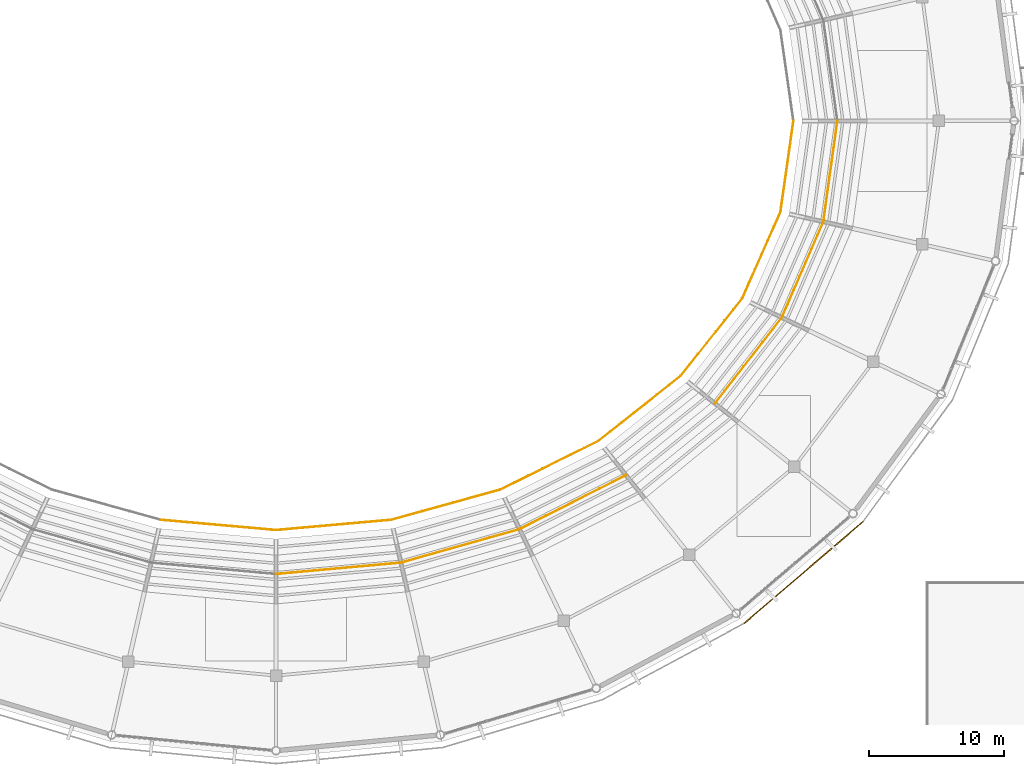
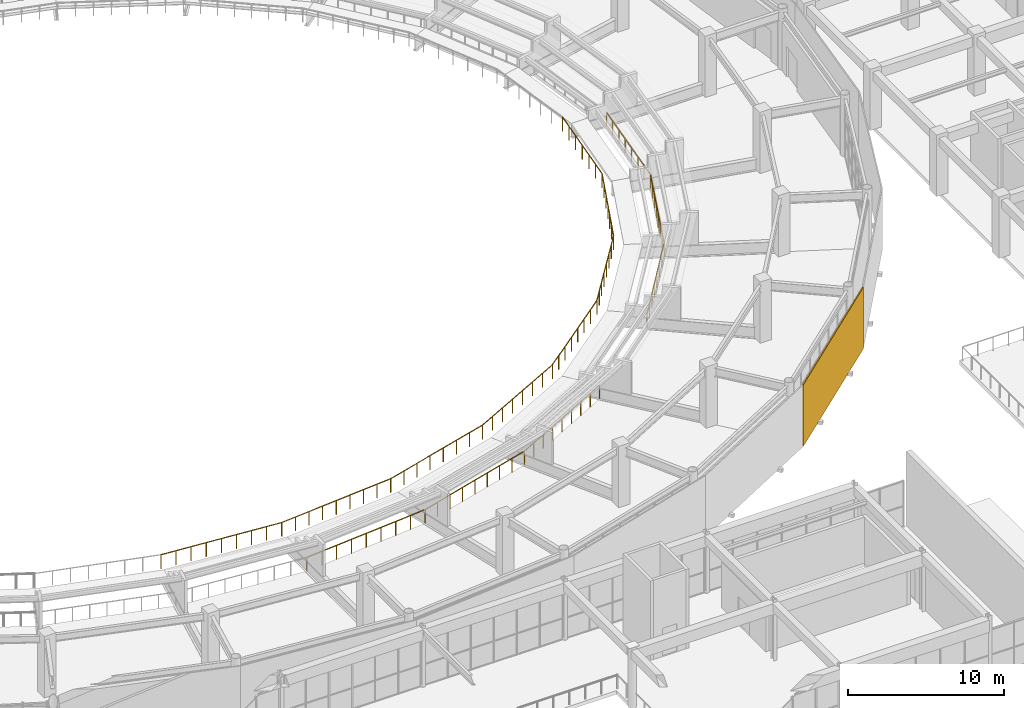
# One storey, part 115 of 122: 14 railings, 1 covering.
"""IFC4 building model written with IfcOpenShell, lengths in metres."""

from ifc_helpers import new_model, si_unit, direction, frame, frame_2d, origin, origin_2d, place, context, subcontext, project, spatial, rectangle, circle, extrude, material, layer, layer_set, type_object, element, save


model = new_model("IFC4")

# Units and contexts
model_context = context("Model", 3, precision=1e-05, world=origin(), true_north=direction((0.0, 1.0)))
body_context = subcontext(model_context, "Body", "Model", "MODEL_VIEW")
ifc_project = project(units=[si_unit("LENGTHUNIT", "METRE"), si_unit("AREAUNIT", "SQUARE_METRE"), si_unit("VOLUMEUNIT", "CUBIC_METRE"), si_unit("PLANEANGLEUNIT", "RADIAN"), si_unit("MASSUNIT", "GRAM", prefix="KILO")], contexts=[model_context])

# Site, building, storey
site_placement = place(None, origin())
site = spatial("IfcSite", under=ifc_project, at=site_placement, CompositionType="ELEMENT")
building_placement = place(site_placement, origin())
building = spatial("IfcBuilding", under=site, at=building_placement, Name="Cuetzalor Civic Arena", CompositionType="ELEMENT")
storey_placement = place(building_placement, frame((0.0, 0.0, 16.199951171875)))
storey = spatial("IfcBuildingStorey", under=building, at=storey_placement, Name="L03", CompositionType="ELEMENT", Elevation=16.199951171875)

# Railings
ifc_material_1 = material(Name="Reseda-green Steel S355 and laminated glass guard", Category="steel")
railing_type = type_object("IfcRailingType", Name="BowlSightlineGuard_1100", PredefinedType="BALUSTRADE", material=ifc_material_1)
railing_1_placement = place(storey_placement, frame((-8.511474609375, -29.49169921875, 0.75)))
element("IfcRailing", 1, at=railing_1_placement, inside=storey, type_object=railing_type, Name="Upper Bowl Cantilever Sightline Guard S21", PredefinedType="BALUSTRADE", context=body_context, shape_type="SweptSolid", body=[
    extrude(circle(Radius=0.02392578125, at=origin_2d()), frame((0.0, 0.0, 1.076171875), z_axis=(0.996054814705, -0.08874010425, 0.0), x_axis=(0.08874010425, 0.996054814705, 0.0)), (0.0, 0.0, 1.0), 8.545166015625),
    extrude(circle(Radius=0.02099609375, at=origin_2d()), origin(), (0.0, 0.0, 1.0), 1.052001953125),
    extrude(circle(Radius=0.02099609375, at=origin_2d()), frame((1.06396484375, -0.0947265625, 0.0)), (0.0, 0.0, 1.0), 1.052001953125),
    extrude(circle(Radius=0.02099609375, at=origin_2d()), frame((2.1279296875, -0.189453125, 0.0)), (0.0, 0.0, 1.0), 1.052001953125),
    extrude(circle(Radius=0.02099609375, at=origin_2d()), frame((3.19189453125, -0.284423828125, 0.0)), (0.0, 0.0, 1.0), 1.052001953125),
    extrude(circle(Radius=0.02099609375, at=origin_2d()), frame((4.255859375, -0.379150390625, 0.0)), (0.0, 0.0, 1.0), 1.052001953125),
    extrude(circle(Radius=0.02099609375, at=origin_2d()), frame((5.319580078125, -0.473876953125, 0.0)), (0.0, 0.0, 1.0), 1.052001953125),
    extrude(circle(Radius=0.02099609375, at=origin_2d()), frame((6.383544921875, -0.56884765625, 0.0)), (0.0, 0.0, 1.0), 1.052001953125),
    extrude(circle(Radius=0.02099609375, at=origin_2d()), frame((7.447509765625, -0.66357421875, 0.0)), (0.0, 0.0, 1.0), 1.052001953125),
    extrude(circle(Radius=0.02099609375, at=origin_2d()), frame((8.511474609375, -0.75830078125, 0.0)), (0.0, 0.0, 1.0), 1.052001953125),
])
railing_2_placement = place(storey_placement, frame((0.0, -30.25, 0.75)))
element("IfcRailing", 2, at=railing_2_placement, inside=storey, type_object=railing_type, Name="Upper Bowl Cantilever Sightline Guard S22", PredefinedType="BALUSTRADE", context=body_context, shape_type="SweptSolid", body=[
    extrude(circle(Radius=0.02392578125, at=origin_2d()), frame((0.0, 0.0, 1.076171875), z_axis=(0.996054814705, 0.08874010425, 0.0), x_axis=(-0.08874010425, 0.996054814705, 0.0)), (0.0, 0.0, 1.0), 8.545166015625),
    extrude(circle(Radius=0.02099609375, at=origin_2d()), origin(), (0.0, 0.0, 1.0), 1.052001953125),
    extrude(circle(Radius=0.02099609375, at=origin_2d()), frame((1.06396484375, 0.0947265625, 0.0)), (0.0, 0.0, 1.0), 1.052001953125),
    extrude(circle(Radius=0.02099609375, at=origin_2d()), frame((2.1279296875, 0.189453125, 0.0)), (0.0, 0.0, 1.0), 1.052001953125),
    extrude(circle(Radius=0.02099609375, at=origin_2d()), frame((3.19189453125, 0.284423828125, 0.0)), (0.0, 0.0, 1.0), 1.052001953125),
    extrude(circle(Radius=0.02099609375, at=origin_2d()), frame((4.255859375, 0.379150390625, 0.0)), (0.0, 0.0, 1.0), 1.052001953125),
    extrude(circle(Radius=0.02099609375, at=origin_2d()), frame((5.319580078125, 0.473876953125, 0.0)), (0.0, 0.0, 1.0), 1.052001953125),
    extrude(circle(Radius=0.02099609375, at=origin_2d()), frame((6.383544921875, 0.56884765625, 0.0)), (0.0, 0.0, 1.0), 1.052001953125),
    extrude(circle(Radius=0.02099609375, at=origin_2d()), frame((7.447509765625, 0.66357421875, 0.0)), (0.0, 0.0, 1.0), 1.052001953125),
    extrude(circle(Radius=0.02099609375, at=origin_2d()), frame((8.511474609375, 0.75830078125, 0.0)), (0.0, 0.0, 1.0), 1.052001953125),
])
railing_3_placement = place(storey_placement, frame((8.511474609375, -29.49169921875, 0.75)))
element("IfcRailing", 3, at=railing_3_placement, inside=storey, type_object=railing_type, Name="Upper Bowl Cantilever Sightline Guard S23", PredefinedType="BALUSTRADE", context=body_context, shape_type="SweptSolid", body=[
    extrude(circle(Radius=0.02392578125, at=origin_2d()), frame((0.0, 0.0, 1.076171875), z_axis=(0.963777223135, 0.266708575353, 0.0), x_axis=(-0.266708575353, 0.963777223135, 0.0)), (0.0, 0.0, 1.0), 8.388671875),
    extrude(circle(Radius=0.02099609375, at=origin_2d()), origin(), (0.0, 0.0, 1.0), 1.052001953125),
    extrude(circle(Radius=0.02099609375, at=origin_2d()), frame((1.155029296875, 0.319580078125, 0.0)), (0.0, 0.0, 1.0), 1.052001953125),
    extrude(circle(Radius=0.02099609375, at=origin_2d()), frame((2.309814453125, 0.63916015625, 0.0)), (0.0, 0.0, 1.0), 1.052001953125),
    extrude(circle(Radius=0.02099609375, at=origin_2d()), frame((3.46484375, 0.958740234375, 0.0)), (0.0, 0.0, 1.0), 1.052001953125),
    extrude(circle(Radius=0.02099609375, at=origin_2d()), frame((4.619873046875, 1.278564453125, 0.0)), (0.0, 0.0, 1.0), 1.052001953125),
    extrude(circle(Radius=0.02099609375, at=origin_2d()), frame((5.77490234375, 1.59814453125, 0.0)), (0.0, 0.0, 1.0), 1.052001953125),
    extrude(circle(Radius=0.02099609375, at=origin_2d()), frame((6.9296875, 1.917724609375, 0.0)), (0.0, 0.0, 1.0), 1.052001953125),
    extrude(circle(Radius=0.02099609375, at=origin_2d()), frame((8.084716796875, 2.2373046875, 0.0)), (0.0, 0.0, 1.0), 1.052001953125),
])
railing_4_placement = place(storey_placement, frame((16.59619140625, -27.25439453125, 0.75)))
element("IfcRailing", 4, at=railing_4_placement, inside=storey, type_object=railing_type, Name="Upper Bowl Cantilever Sightline Guard S24", PredefinedType="BALUSTRADE", context=body_context, shape_type="SweptSolid", body=[
    extrude(circle(Radius=0.02392578125, at=origin_2d()), frame((0.0, 0.0, 1.076171875), z_axis=(0.895515848324, 0.445029623059, 0.0), x_axis=(-0.445029623059, 0.895515848324, 0.0)), (0.0, 0.0, 1.0), 8.098388671875),
    extrude(circle(Radius=0.02099609375, at=origin_2d()), origin(), (0.0, 0.0, 1.0), 1.052001953125),
    extrude(circle(Radius=0.02099609375, at=origin_2d()), frame((1.0361328125, 0.514892578125, 0.0)), (0.0, 0.0, 1.0), 1.052001953125),
    extrude(circle(Radius=0.02099609375, at=origin_2d()), frame((2.072021484375, 1.02978515625, 0.0)), (0.0, 0.0, 1.0), 1.052001953125),
    extrude(circle(Radius=0.02099609375, at=origin_2d()), frame((3.108154296875, 1.544677734375, 0.0)), (0.0, 0.0, 1.0), 1.052001953125),
    extrude(circle(Radius=0.02099609375, at=origin_2d()), frame((4.14404296875, 2.059326171875, 0.0)), (0.0, 0.0, 1.0), 1.052001953125),
    extrude(circle(Radius=0.02099609375, at=origin_2d()), frame((5.18017578125, 2.57421875, 0.0)), (0.0, 0.0, 1.0), 1.052001953125),
    extrude(circle(Radius=0.02099609375, at=origin_2d()), frame((6.216064453125, 3.089111328125, 0.0)), (0.0, 0.0, 1.0), 1.052001953125),
    extrude(circle(Radius=0.02099609375, at=origin_2d()), frame((7.252197265625, 3.60400390625, 0.0)), (0.0, 0.0, 1.0), 1.052001953125),
])
railing_5_placement = place(storey_placement, frame((23.848388671875, -23.650390625, 0.75)))
element("IfcRailing", 5, at=railing_5_placement, inside=storey, type_object=railing_type, Name="Upper Bowl Cantilever Sightline Guard S25", PredefinedType="BALUSTRADE", context=body_context, shape_type="SweptSolid", body=[
    extrude(circle(Radius=0.02392578125, at=origin_2d()), frame((0.0, 0.0, 1.076171875), z_axis=(0.784363717402, 0.620301183961, 0.0), x_axis=(-0.620301183961, 0.784363717402, 0.0)), (0.0, 0.0, 1.0), 7.7216796875),
    extrude(circle(Radius=0.02099609375, at=origin_2d()), origin(), (0.0, 0.0, 1.0), 1.052001953125),
    extrude(circle(Radius=0.02099609375, at=origin_2d()), frame((0.865234375, 0.684326171875, 0.0)), (0.0, 0.0, 1.0), 1.052001953125),
    extrude(circle(Radius=0.02099609375, at=origin_2d()), frame((1.73046875, 1.368408203125, 0.0)), (0.0, 0.0, 1.0), 1.052001953125),
    extrude(circle(Radius=0.02099609375, at=origin_2d()), frame((2.595703125, 2.052734375, 0.0)), (0.0, 0.0, 1.0), 1.052001953125),
    extrude(circle(Radius=0.02099609375, at=origin_2d()), frame((3.4609375, 2.737060546875, 0.0)), (0.0, 0.0, 1.0), 1.052001953125),
    extrude(circle(Radius=0.02099609375, at=origin_2d()), frame((4.326171875, 3.42138671875, 0.0)), (0.0, 0.0, 1.0), 1.052001953125),
    extrude(circle(Radius=0.02099609375, at=origin_2d()), frame((5.19140625, 4.10546875, 0.0)), (0.0, 0.0, 1.0), 1.052001953125),
    extrude(circle(Radius=0.02099609375, at=origin_2d()), frame((6.056640625, 4.789794921875, 0.0)), (0.0, 0.0, 1.0), 1.052001953125),
])
railing_6_placement = place(storey_placement, frame((29.905029296875, -18.860595703125, 0.75)))
element("IfcRailing", 6, at=railing_6_placement, inside=storey, type_object=railing_type, Name="Upper Bowl Cantilever Sightline Guard S26", PredefinedType="BALUSTRADE", context=body_context, shape_type="SweptSolid", body=[
    extrude(circle(Radius=0.02392578125, at=origin_2d()), frame((0.0, 0.0, 1.076171875), z_axis=(0.622082297612, 0.782951859949, 0.0), x_axis=(-0.782951859949, 0.622082297612, 0.0)), (0.0, 0.0, 1.0), 7.32568359375),
    extrude(circle(Radius=0.02099609375, at=origin_2d()), origin(), (0.0, 0.0, 1.0), 1.052001953125),
    extrude(circle(Radius=0.02099609375, at=origin_2d()), frame((0.651123046875, 0.8193359375, 0.0)), (0.0, 0.0, 1.0), 1.052001953125),
    extrude(circle(Radius=0.02099609375, at=origin_2d()), frame((1.302001953125, 1.638671875, 0.0)), (0.0, 0.0, 1.0), 1.052001953125),
    extrude(circle(Radius=0.02099609375, at=origin_2d()), frame((1.953125, 2.4580078125, 0.0)), (0.0, 0.0, 1.0), 1.052001953125),
    extrude(circle(Radius=0.02099609375, at=origin_2d()), frame((2.60400390625, 3.277587890625, 0.0)), (0.0, 0.0, 1.0), 1.052001953125),
    extrude(circle(Radius=0.02099609375, at=origin_2d()), frame((3.255126953125, 4.096923828125, 0.0)), (0.0, 0.0, 1.0), 1.052001953125),
    extrude(circle(Radius=0.02099609375, at=origin_2d()), frame((3.906005859375, 4.916259765625, 0.0)), (0.0, 0.0, 1.0), 1.052001953125),
    extrude(circle(Radius=0.02099609375, at=origin_2d()), frame((4.55712890625, 5.735595703125, 0.0)), (0.0, 0.0, 1.0), 1.052001953125),
])
railing_7_placement = place(storey_placement, frame((34.462158203125, -13.125, 0.75)))
element("IfcRailing", 7, at=railing_7_placement, inside=storey, type_object=railing_type, Name="Upper Bowl Cantilever Sightline Guard S27", PredefinedType="BALUSTRADE", context=body_context, shape_type="SweptSolid", body=[
    extrude(circle(Radius=0.02392578125, at=origin_2d()), frame((0.0, 0.0, 1.076171875), z_axis=(0.404605422737, 0.914491362393, 0.0), x_axis=(-0.914491362393, 0.404605422737, 0.0)), (0.0, 0.0, 1.0), 6.99169921875),
    extrude(circle(Radius=0.02099609375, at=origin_2d()), origin(), (0.0, 0.0, 1.0), 1.052001953125),
    extrude(circle(Radius=0.02099609375, at=origin_2d()), frame((0.471435546875, 1.065673828125, 0.0)), (0.0, 0.0, 1.0), 1.052001953125),
    extrude(circle(Radius=0.02099609375, at=origin_2d()), frame((0.94287109375, 2.13134765625, 0.0)), (0.0, 0.0, 1.0), 1.052001953125),
    extrude(circle(Radius=0.02099609375, at=origin_2d()), frame((1.41455078125, 3.19677734375, 0.0)), (0.0, 0.0, 1.0), 1.052001953125),
    extrude(circle(Radius=0.02099609375, at=origin_2d()), frame((1.885986328125, 4.262451171875, 0.0)), (0.0, 0.0, 1.0), 1.052001953125),
    extrude(circle(Radius=0.02099609375, at=origin_2d()), frame((2.357421875, 5.328125, 0.0)), (0.0, 0.0, 1.0), 1.052001953125),
    extrude(circle(Radius=0.02099609375, at=origin_2d()), frame((2.828857421875, 6.393798828125, 0.0)), (0.0, 0.0, 1.0), 1.052001953125),
])
railing_8_placement = place(storey_placement, frame((37.291015625, -6.731201171875, 0.75)))
element("IfcRailing", 8, at=railing_8_placement, inside=storey, type_object=railing_type, Name="Upper Bowl Cantilever Sightline Guard S28", PredefinedType="BALUSTRADE", context=body_context, shape_type="SweptSolid", body=[
    extrude(circle(Radius=0.02392578125, at=origin_2d()), frame((0.0, 0.0, 1.076171875), z_axis=(0.141044318144, 0.990003282984, 0.0), x_axis=(-0.990003282984, 0.141044318144, 0.0)), (0.0, 0.0, 1.0), 6.799072265625),
    extrude(circle(Radius=0.02099609375, at=origin_2d()), origin(), (0.0, 0.0, 1.0), 1.052001953125),
    extrude(circle(Radius=0.02099609375, at=origin_2d()), frame((0.159912109375, 1.121826171875, 0.0)), (0.0, 0.0, 1.0), 1.052001953125),
    extrude(circle(Radius=0.02099609375, at=origin_2d()), frame((0.319580078125, 2.24365234375, 0.0)), (0.0, 0.0, 1.0), 1.052001953125),
    extrude(circle(Radius=0.02099609375, at=origin_2d()), frame((0.4794921875, 3.36572265625, 0.0)), (0.0, 0.0, 1.0), 1.052001953125),
    extrude(circle(Radius=0.02099609375, at=origin_2d()), frame((0.639404296875, 4.487548828125, 0.0)), (0.0, 0.0, 1.0), 1.052001953125),
    extrude(circle(Radius=0.02099609375, at=origin_2d()), frame((0.799072265625, 5.609375, 0.0)), (0.0, 0.0, 1.0), 1.052001953125),
    extrude(circle(Radius=0.02099609375, at=origin_2d()), frame((0.958984375, 6.731201171875, 0.0)), (0.0, 0.0, 1.0), 1.052001953125),
])
railing_9_placement = place(storey_placement, frame((0.0, -33.5, 0.0)))
element("IfcRailing", 9, at=railing_9_placement, inside=storey, type_object=railing_type, Name="Upper Concourse Inner Rim Balustrade S22", PredefinedType="BALUSTRADE", context=body_context, shape_type="SweptSolid", body=[
    extrude(circle(Radius=0.02392578125, at=origin_2d()), frame((0.0, 0.0, 1.076171875), z_axis=(0.995889968673, 0.090571354719, 0.0), x_axis=(-0.090571354719, 0.995889968673, 0.0)), (0.0, 0.0, 1.0), 9.272705078125),
    extrude(circle(Radius=0.02099609375, at=origin_2d()), origin(), (0.0, 0.0, 1.0), 1.052001953125),
    extrude(circle(Radius=0.02099609375, at=origin_2d()), frame((1.154296875, 0.10498046875, 0.0)), (0.0, 0.0, 1.0), 1.052001953125),
    extrude(circle(Radius=0.02099609375, at=origin_2d()), frame((2.30859375, 0.2099609375, 0.0)), (0.0, 0.0, 1.0), 1.052001953125),
    extrude(circle(Radius=0.02099609375, at=origin_2d()), frame((3.462890625, 0.31494140625, 0.0)), (0.0, 0.0, 1.0), 1.052001953125),
    extrude(circle(Radius=0.02099609375, at=origin_2d()), frame((4.6171875, 0.419921875, 0.0)), (0.0, 0.0, 1.0), 1.052001953125),
    extrude(circle(Radius=0.02099609375, at=origin_2d()), frame((5.771728515625, 0.52490234375, 0.0)), (0.0, 0.0, 1.0), 1.052001953125),
    extrude(circle(Radius=0.02099609375, at=origin_2d()), frame((6.926025390625, 0.6298828125, 0.0)), (0.0, 0.0, 1.0), 1.052001953125),
    extrude(circle(Radius=0.02099609375, at=origin_2d()), frame((8.080322265625, 0.73486328125, 0.0)), (0.0, 0.0, 1.0), 1.052001953125),
    extrude(circle(Radius=0.02099609375, at=origin_2d()), frame((9.234619140625, 0.83984375, 0.0)), (0.0, 0.0, 1.0), 1.052001953125),
])
railing_10_placement = place(storey_placement, frame((9.234619140625, -32.66015625, 0.0)))
element("IfcRailing", 10, at=railing_10_placement, inside=storey, type_object=railing_type, Name="Upper Concourse Inner Rim Balustrade S23", PredefinedType="BALUSTRADE", context=body_context, shape_type="SweptSolid", body=[
    extrude(circle(Radius=0.02392578125, at=origin_2d()), frame((0.0, 0.0, 1.076171875), z_axis=(0.962348405043, 0.271818960543, 0.0), x_axis=(-0.271818960543, 0.962348405043, 0.0)), (0.0, 0.0, 1.0), 9.11474609375),
    extrude(circle(Radius=0.02099609375, at=origin_2d()), origin(), (0.0, 0.0, 1.0), 1.052001953125),
    extrude(circle(Radius=0.02099609375, at=origin_2d()), frame((1.096435546875, 0.3095703125, 0.0)), (0.0, 0.0, 1.0), 1.052001953125),
    extrude(circle(Radius=0.02099609375, at=origin_2d()), frame((2.19287109375, 0.619384765625, 0.0)), (0.0, 0.0, 1.0), 1.052001953125),
    extrude(circle(Radius=0.02099609375, at=origin_2d()), frame((3.289306640625, 0.92919921875, 0.0)), (0.0, 0.0, 1.0), 1.052001953125),
    extrude(circle(Radius=0.02099609375, at=origin_2d()), frame((4.3857421875, 1.23876953125, 0.0)), (0.0, 0.0, 1.0), 1.052001953125),
    extrude(circle(Radius=0.02099609375, at=origin_2d()), frame((5.482177734375, 1.54833984375, 0.0)), (0.0, 0.0, 1.0), 1.052001953125),
    extrude(circle(Radius=0.02099609375, at=origin_2d()), frame((6.57861328125, 1.858154296875, 0.0)), (0.0, 0.0, 1.0), 1.052001953125),
    extrude(circle(Radius=0.02099609375, at=origin_2d()), frame((7.675048828125, 2.16796875, 0.0)), (0.0, 0.0, 1.0), 1.052001953125),
    extrude(circle(Radius=0.02099609375, at=origin_2d()), frame((8.771484375, 2.4775390625, 0.0)), (0.0, 0.0, 1.0), 1.052001953125),
])
railing_11_placement = place(storey_placement, frame((18.006103515625, -30.1826171875, 0.0)))
element("IfcRailing", 11, at=railing_11_placement, inside=storey, type_object=railing_type, Name="Upper Concourse Inner Rim Balustrade S24", PredefinedType="BALUSTRADE", context=body_context, shape_type="SweptSolid", body=[
    extrude(circle(Radius=0.02392578125, at=origin_2d()), frame((0.0, 0.0, 1.076171875), z_axis=(0.891833390372, 0.452364016935, 0.0), x_axis=(-0.452364016935, 0.891833390372, 0.0)), (0.0, 0.0, 1.0), 8.822998046875),
    extrude(circle(Radius=0.02099609375, at=origin_2d()), origin(), (0.0, 0.0, 1.0), 1.052001953125),
    extrude(circle(Radius=0.02099609375, at=origin_2d()), frame((0.983642578125, 0.4990234375, 0.0)), (0.0, 0.0, 1.0), 1.052001953125),
    extrude(circle(Radius=0.02099609375, at=origin_2d()), frame((1.96728515625, 0.997802734375, 0.0)), (0.0, 0.0, 1.0), 1.052001953125),
    extrude(circle(Radius=0.02099609375, at=origin_2d()), frame((2.95068359375, 1.49658203125, 0.0)), (0.0, 0.0, 1.0), 1.052001953125),
    extrude(circle(Radius=0.02099609375, at=origin_2d()), frame((3.934326171875, 1.99560546875, 0.0)), (0.0, 0.0, 1.0), 1.052001953125),
    extrude(circle(Radius=0.02099609375, at=origin_2d()), frame((4.91796875, 2.49462890625, 0.0)), (0.0, 0.0, 1.0), 1.052001953125),
    extrude(circle(Radius=0.02099609375, at=origin_2d()), frame((5.9013671875, 2.993408203125, 0.0)), (0.0, 0.0, 1.0), 1.052001953125),
    extrude(circle(Radius=0.02099609375, at=origin_2d()), frame((6.885009765625, 3.4921875, 0.0)), (0.0, 0.0, 1.0), 1.052001953125),
    extrude(circle(Radius=0.02099609375, at=origin_2d()), frame((7.86865234375, 3.9912109375, 0.0)), (0.0, 0.0, 1.0), 1.052001953125),
])
railing_12_placement = place(storey_placement, frame((32.446044921875, -20.886962890625, 0.0)))
element("IfcRailing", 12, at=railing_12_placement, inside=storey, type_object=railing_type, Name="Upper Concourse Inner Rim Balustrade S26", PredefinedType="BALUSTRADE", context=body_context, shape_type="SweptSolid", body=[
    extrude(circle(Radius=0.02392578125, at=origin_2d()), frame((0.0, 0.0, 1.076171875), z_axis=(0.614234549024, 0.78912351301, 0.0), x_axis=(-0.78912351301, 0.614234549024, 0.0)), (0.0, 0.0, 1.0), 8.049072265625),
    extrude(circle(Radius=0.02099609375, at=origin_2d()), origin(), (0.0, 0.0, 1.0), 1.052001953125),
    extrude(circle(Radius=0.02099609375, at=origin_2d()), frame((0.706298828125, 0.907470703125, 0.0)), (0.0, 0.0, 1.0), 1.052001953125),
    extrude(circle(Radius=0.02099609375, at=origin_2d()), frame((1.41259765625, 1.814697265625, 0.0)), (0.0, 0.0, 1.0), 1.052001953125),
    extrude(circle(Radius=0.02099609375, at=origin_2d()), frame((2.118896484375, 2.72216796875, 0.0)), (0.0, 0.0, 1.0), 1.052001953125),
    extrude(circle(Radius=0.02099609375, at=origin_2d()), frame((2.8251953125, 3.629638671875, 0.0)), (0.0, 0.0, 1.0), 1.052001953125),
    extrude(circle(Radius=0.02099609375, at=origin_2d()), frame((3.531494140625, 4.537109375, 0.0)), (0.0, 0.0, 1.0), 1.052001953125),
    extrude(circle(Radius=0.02099609375, at=origin_2d()), frame((4.23779296875, 5.4443359375, 0.0)), (0.0, 0.0, 1.0), 1.052001953125),
    extrude(circle(Radius=0.02099609375, at=origin_2d()), frame((4.944091796875, 6.351806640625, 0.0)), (0.0, 0.0, 1.0), 1.052001953125),
])
railing_13_placement = place(storey_placement, frame((37.39013671875, -14.53515625, 0.0)))
element("IfcRailing", 13, at=railing_13_placement, inside=storey, type_object=railing_type, Name="Upper Concourse Inner Rim Balustrade S27", PredefinedType="BALUSTRADE", context=body_context, shape_type="SweptSolid", body=[
    extrude(circle(Radius=0.02392578125, at=origin_2d()), frame((0.0, 0.0, 1.076171875), z_axis=(0.397726401809, 0.917504065007, 0.0), x_axis=(-0.917504065007, 0.397726401809, 0.0)), (0.0, 0.0, 1.0), 7.71728515625),
    extrude(circle(Radius=0.02099609375, at=origin_2d()), origin(), (0.0, 0.0, 1.0), 1.052001953125),
    extrude(circle(Radius=0.02099609375, at=origin_2d()), frame((0.4384765625, 1.011474609375, 0.0)), (0.0, 0.0, 1.0), 1.052001953125),
    extrude(circle(Radius=0.02099609375, at=origin_2d()), frame((0.876953125, 2.02294921875, 0.0)), (0.0, 0.0, 1.0), 1.052001953125),
    extrude(circle(Radius=0.02099609375, at=origin_2d()), frame((1.3154296875, 3.034423828125, 0.0)), (0.0, 0.0, 1.0), 1.052001953125),
    extrude(circle(Radius=0.02099609375, at=origin_2d()), frame((1.75390625, 4.046142578125, 0.0)), (0.0, 0.0, 1.0), 1.052001953125),
    extrude(circle(Radius=0.02099609375, at=origin_2d()), frame((2.1923828125, 5.0576171875, 0.0)), (0.0, 0.0, 1.0), 1.052001953125),
    extrude(circle(Radius=0.02099609375, at=origin_2d()), frame((2.630859375, 6.069091796875, 0.0)), (0.0, 0.0, 1.0), 1.052001953125),
    extrude(circle(Radius=0.02099609375, at=origin_2d()), frame((3.0693359375, 7.08056640625, 0.0)), (0.0, 0.0, 1.0), 1.052001953125),
])
railing_14_placement = place(storey_placement, frame((40.45947265625, -7.45458984375, 0.0)))
element("IfcRailing", 14, at=railing_14_placement, inside=storey, type_object=railing_type, Name="Upper Concourse Inner Rim Balustrade S28", PredefinedType="BALUSTRADE", context=body_context, shape_type="SweptSolid", body=[
    extrude(circle(Radius=0.02392578125, at=origin_2d()), frame((0.0, 0.0, 1.076171875), z_axis=(0.138241906656, 0.990398493155, 0.0), x_axis=(-0.990398493155, 0.138241906656, 0.0)), (0.0, 0.0, 1.0), 7.52685546875),
    extrude(circle(Radius=0.02099609375, at=origin_2d()), origin(), (0.0, 0.0, 1.0), 1.052001953125),
    extrude(circle(Radius=0.02099609375, at=origin_2d()), frame((0.148681640625, 1.06494140625, 0.0)), (0.0, 0.0, 1.0), 1.052001953125),
    extrude(circle(Radius=0.02099609375, at=origin_2d()), frame((0.29736328125, 2.1298828125, 0.0)), (0.0, 0.0, 1.0), 1.052001953125),
    extrude(circle(Radius=0.02099609375, at=origin_2d()), frame((0.446044921875, 3.19482421875, 0.0)), (0.0, 0.0, 1.0), 1.052001953125),
    extrude(circle(Radius=0.02099609375, at=origin_2d()), frame((0.594482421875, 4.259765625, 0.0)), (0.0, 0.0, 1.0), 1.052001953125),
    extrude(circle(Radius=0.02099609375, at=origin_2d()), frame((0.7431640625, 5.32470703125, 0.0)), (0.0, 0.0, 1.0), 1.052001953125),
    extrude(circle(Radius=0.02099609375, at=origin_2d()), frame((0.891845703125, 6.3896484375, 0.0)), (0.0, 0.0, 1.0), 1.052001953125),
    extrude(circle(Radius=0.02099609375, at=origin_2d()), frame((1.04052734375, 7.45458984375, 0.0)), (0.0, 0.0, 1.0), 1.052001953125),
])

# Covering
ifc_material_2 = material(Name="Terracotta-red perforated anodised aluminium panel", Category="masonry")
ifc_layer = layer(ifc_material_2, 0.080078125)
ifc_layer_set = layer_set([ifc_layer], Name="Terracotta-red perforated anodised aluminium panel")
covering_type = type_object("IfcCoveringType", Name="TerracottaPerforatedScreenPanel", PredefinedType="CLADDING", material=ifc_layer_set)
covering_placement = place(storey_placement, frame((43.3916015625, -29.61572265625, -0.139892578125), z_axis=(0.0, 0.0, 1.0), x_axis=(-0.759734649699, -0.650233236652, 0.0)))
element("IfcCovering", 15, at=covering_placement, inside=storey, type_object=covering_type, Name="Terracotta Perforated Drum Screen L03-S25", PredefinedType="CLADDING", context=body_context, shape_type="SweptSolid", body=[
    extrude(rectangle(XDim=11.56689453125, YDim=0.080078125, at=frame_2d((5.783447265625, 0.0))), origin(), (0.0, 0.0, 1.0), 4.81982421875),
])

save(model, "model.ifc")
